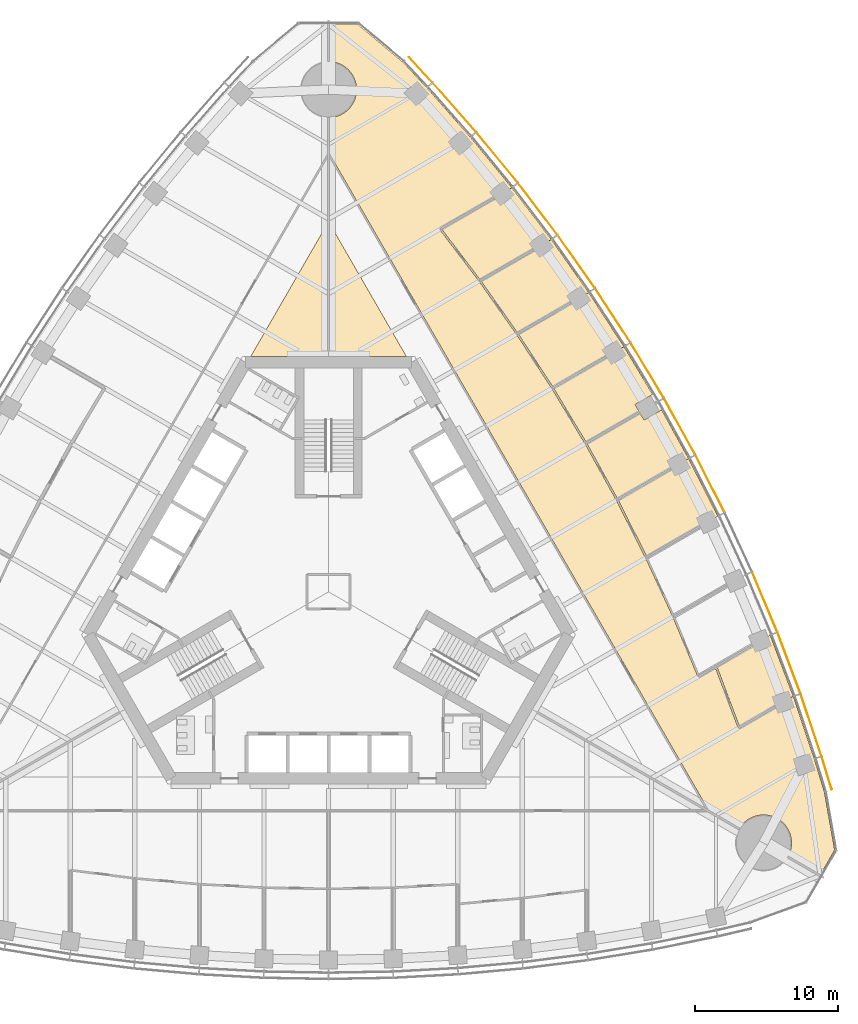
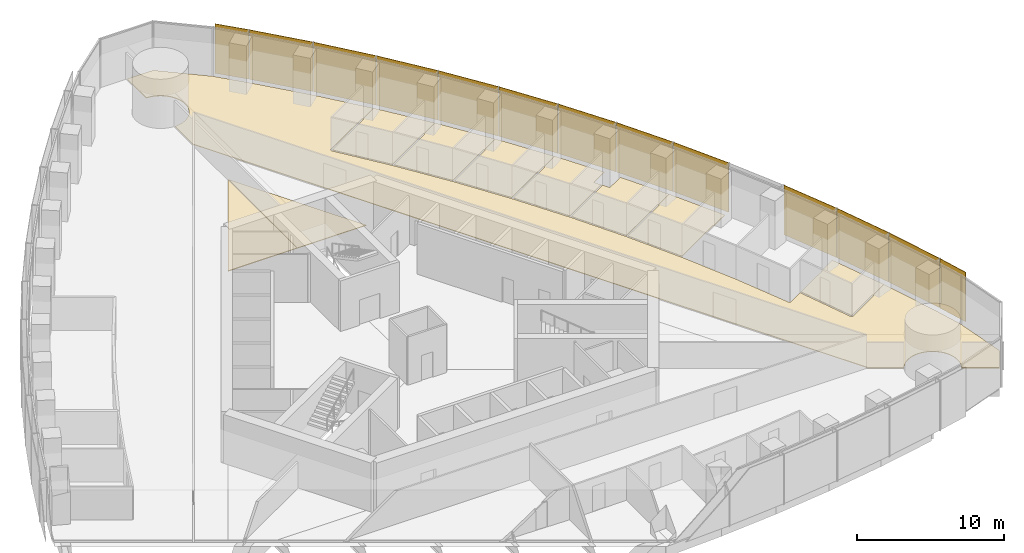
# One storey, part 19 of 21: 13 shading devices, 10 coverings.
"""IFC4 building model written with IfcOpenShell, lengths in metres."""

import ifcopenshell
import ifcopenshell.guid

model = None  # the IFC model being written
_history = None  # IfcOwnerHistory: only IFC2X3 demands one
_inside = {}  # id of a spatial element -> (the spatial element, [elements in it])
_under = {}  # id of a project, library or spatial element -> (it, [spatial elements below it])
_declared = {}  # id of a project -> (the project, [libraries it declares])
_typed = {}  # id of a type object -> (the type object, [elements of that type])
_made_of = {}  # id of a material, layer set ... -> (it, [elements and type objects made of it])


def new_model(schema):
    """Start an empty IFC model of exactly this schema.

    Asked for "IFC4X3", IfcOpenShell would pick the latest addendum, in which some entities
    have other attributes; the version numbers below select the first issue.
    IFC2X3 requires an IfcOwnerHistory on every rooted entity: one is made here for all.
    """
    global model, _history
    if schema == "IFC4X3":
        model = ifcopenshell.file(schema_version=(4, 3, 0, 0))
    else:
        model = ifcopenshell.file(schema=schema)
    _inside.clear()
    _under.clear()
    _declared.clear()
    _typed.clear()
    _made_of.clear()
    _history = None
    if model.schema == "IFC2X3":
        org = make("IfcOrganization", Name="unknown")
        user = make(
            "IfcPersonAndOrganization",
            ThePerson=make("IfcPerson", FamilyName="unknown"),
            TheOrganization=org,
        )
        app = make(
            "IfcApplication",
            ApplicationDeveloper=org,
            Version="unknown",
            ApplicationFullName="unknown",
            ApplicationIdentifier="unknown",
        )
        _history = make(
            "IfcOwnerHistory",
            OwningUser=user,
            OwningApplication=app,
            ChangeAction="ADDED",
            CreationDate=0,
        )
    return model


def make(cls, **values):
    """One entity of the class cls with the attributes given. An attribute that is None is left unset."""
    return model.create_entity(
        cls, **{name: value for name, value in values.items() if value is not None}
    )


def rooted(cls, **values):
    """An entity with a GlobalId (a new one), such as an element, a storey or a relation."""
    return make(cls, GlobalId=ifcopenshell.guid.new(), OwnerHistory=_history, **values)


def si_unit(unit_type, name, prefix=None):
    """IfcSIUnit, for example si_unit("LENGTHUNIT", "METRE", prefix="MILLI")."""
    return make("IfcSIUnit", UnitType=unit_type, Prefix=prefix, Name=name)


def assignment(units):
    """IfcUnitAssignment: the units of a project."""
    return None if units is None else make("IfcUnitAssignment", Units=units)


def point(xyz):
    """IfcCartesianPoint."""
    return None if xyz is None else make("IfcCartesianPoint", Coordinates=xyz)


def direction(xyz):
    """IfcDirection."""
    return None if xyz is None else make("IfcDirection", DirectionRatios=xyz)


def frame(location, z_axis=None, x_axis=None):
    """IfcAxis2Placement3D, a coordinate frame: its origin and axes. An axis left out is left unset."""
    return make(
        "IfcAxis2Placement3D",
        Location=point(location),
        Axis=direction(z_axis),
        RefDirection=direction(x_axis),
    )


def frame_2d(location, x_axis=None):
    """IfcAxis2Placement2D, a coordinate frame in the plane: its origin and x axis."""
    return make(
        "IfcAxis2Placement2D", Location=point(location), RefDirection=direction(x_axis)
    )


def origin():
    """The frame at (0, 0, 0) with its axes left unset."""
    return frame((0.0, 0.0, 0.0))


def origin_2d():
    """The frame at (0, 0) in the plane with its x axis left unset."""
    return frame_2d((0.0, 0.0))


def place(relative_to, where):
    """IfcLocalPlacement: puts the frame where relative to a parent placement (None: the world)."""
    return make(
        "IfcLocalPlacement", PlacementRelTo=relative_to, RelativePlacement=where
    )


def context(
    kind, dimensions, precision=None, world=None, true_north=None, identifier=None
):
    """IfcGeometricRepresentationContext, for example the 3D "Model" context."""
    return make(
        "IfcGeometricRepresentationContext",
        ContextIdentifier=identifier,
        ContextType=kind,
        CoordinateSpaceDimension=dimensions,
        Precision=precision,
        WorldCoordinateSystem=world,
        TrueNorth=true_north,
    )


def subcontext(parent, identifier, kind, view, scale=None):
    """IfcGeometricRepresentationSubContext, for example "Body" below "Model"."""
    return make(
        "IfcGeometricRepresentationSubContext",
        ContextIdentifier=identifier,
        ContextType=kind,
        ParentContext=parent,
        TargetScale=scale,
        TargetView=view,
    )


def project(units=None, contexts=None):
    """IfcProject with its units and contexts."""
    return rooted(
        "IfcProject",
        Name="project",
        RepresentationContexts=contexts,
        UnitsInContext=assignment(units),
    )


def spatial(cls, under=None, at=None, **own):
    """A site, building, storey or space (cls), placed at a placement, below another one or the project."""
    s = rooted(cls, ObjectPlacement=at, **own)
    if under is not None:
        _under.setdefault(under.id(), (under, []))[1].append(s)
    return s


def polyline(points):
    """IfcPolyline through the points."""
    return make("IfcPolyline", Points=[point(p) for p in points])


def profile(cls, at=None, kind="AREA", **sizes):
    """A parametric profile (cls). Its sizes go by their IFC names, for example OverallWidth=200.0."""
    return make(cls, ProfileType=kind, Position=at, **sizes)


def rectangle(**sizes):
    """IfcRectangleProfileDef."""
    return profile("IfcRectangleProfileDef", **sizes)


def outline(outer, holes=None, kind="AREA"):
    """IfcArbitraryClosedProfileDef: a profile drawn as a closed curve; with holes, ...WithVoids."""
    if holes is None:
        return make("IfcArbitraryClosedProfileDef", ProfileType=kind, OuterCurve=outer)
    return make(
        "IfcArbitraryProfileDefWithVoids",
        ProfileType=kind,
        OuterCurve=outer,
        InnerCurves=holes,
    )


def extrude(swept, where, along, depth):
    """IfcExtrudedAreaSolid: the profile swept, set in the frame where, extruded along a direction by depth."""
    return make(
        "IfcExtrudedAreaSolid",
        SweptArea=swept,
        Position=where,
        ExtrudedDirection=direction(along),
        Depth=depth,
    )


def shape(context_of_items, identifier, shape_type, items):
    """IfcShapeRepresentation: the items that make up one representation, for example the "Body"."""
    return make(
        "IfcShapeRepresentation",
        ContextOfItems=context_of_items,
        RepresentationIdentifier=identifier,
        RepresentationType=shape_type,
        Items=items,
    )


def material(Name=None, Category=None):
    """IfcMaterial."""
    return make("IfcMaterial", Name=Name, Category=Category)


def layer(
    of_material, thickness, ventilated=None, Name=None, Category=None, Priority=None
):
    """IfcMaterialLayer: one layer of a wall or slab, of a material (None: an air gap)."""
    return make(
        "IfcMaterialLayer",
        Material=of_material,
        LayerThickness=thickness,
        IsVentilated=ventilated,
        Name=Name,
        Category=Category,
        Priority=Priority,
    )


def layer_set(layers, Name=None):
    """IfcMaterialLayerSet."""
    return make("IfcMaterialLayerSet", MaterialLayers=layers, LayerSetName=Name)


def made_of(thing, what):
    """Note that an element or type object is made of a material, layer set ...; save() writes the relation."""
    if what is not None:
        _made_of.setdefault(what.id(), (what, []))[1].append(thing)
    return thing


def type_object(cls, material=None, **own):
    """A type object (cls), such as IfcWallType, which elements share."""
    return made_of(rooted(cls, **own), material)


def element(
    cls,
    number,
    at=None,
    inside=None,
    cuts=None,
    type_object=None,
    material=None,
    context=None,
    identifier="Body",
    shape_type=None,
    held_by="IfcProductDefinitionShape",
    body=None,
    shapes=None,
    **own,
):
    """One element of the class cls, such as IfcWall. Its Tag is "e" and its number.

    at: its placement. inside: the storey or other place that contains it. cuts: it is an
    opening in that element (IfcRelVoidsElement). A single representation is given by context,
    identifier, shape_type and body (its items); several are given by shapes. held_by: the class
    of the entity that holds the representations. save() writes the other relations.
    """
    e = rooted(cls, Tag="e%d" % number, ObjectPlacement=at, **own)
    if body is not None:
        shapes = [shape(context, identifier, shape_type, body)]
    if shapes is not None:
        e.Representation = make(held_by, Representations=shapes)
    if inside is not None:
        _inside.setdefault(inside.id(), (inside, []))[1].append(e)
    if cuts is not None:
        rooted(
            "IfcRelVoidsElement", RelatingBuildingElement=cuts, RelatedOpeningElement=e
        )
    if type_object is not None:
        _typed.setdefault(type_object.id(), (type_object, []))[1].append(e)
    return made_of(e, material)


def aggregate(whole, parts):
    """IfcRelAggregates: a whole, such as a stair, and the parts it consists of."""
    return rooted("IfcRelAggregates", RelatingObject=whole, RelatedObjects=parts)


def save(model, path):
    """Write the relations noted so far, then the file.

    IfcRelAggregates (storeys below a building ...), IfcRelContainedInSpatialStructure (elements
    in a storey), IfcRelDefinesByType, IfcRelAssociatesMaterial and IfcRelDeclares: one each for
    every whole, place, type object, material and project.
    """
    for whole, parts in _under.values():
        aggregate(whole, parts)
    for where, things in _inside.values():
        rooted(
            "IfcRelContainedInSpatialStructure",
            RelatedElements=things,
            RelatingStructure=where,
        )
    for kind, things in _typed.values():
        rooted("IfcRelDefinesByType", RelatedObjects=things, RelatingType=kind)
    for what, things in _made_of.values():
        rooted("IfcRelAssociatesMaterial", RelatedObjects=things, RelatingMaterial=what)
    for by, libraries in _declared.values():
        rooted("IfcRelDeclares", RelatingContext=by, RelatedDefinitions=libraries)
    model.write(path)


model = new_model("IFC4")

# Units and contexts
model_context = context("Model", 3, precision=1e-05, world=origin(), true_north=direction((0.0, 1.0)))
body_context = subcontext(model_context, "Body", "Model", "MODEL_VIEW")
ifc_project = project(units=[si_unit("LENGTHUNIT", "METRE"), si_unit("AREAUNIT", "SQUARE_METRE"), si_unit("VOLUMEUNIT", "CUBIC_METRE"), si_unit("PLANEANGLEUNIT", "RADIAN"), si_unit("MASSUNIT", "GRAM", prefix="KILO")], contexts=[model_context])

# Site, building, storey
site_placement = place(None, origin())
site = spatial("IfcSite", under=ifc_project, at=site_placement, CompositionType="ELEMENT")
building_placement = place(site_placement, origin())
building = spatial("IfcBuilding", under=site, at=building_placement, Name="Trefoil Bronze Tower", CompositionType="ELEMENT")
storey_placement = place(building_placement, frame((0.0, 0.0, 149.300048828125)))
storey = spatial("IfcBuildingStorey", under=building, at=storey_placement, Name="L34", CompositionType="ELEMENT", Elevation=149.300048828125)

# Shading devices
ifc_material_1 = material(Name="Perforated bronze sheet", Category="bronze")
ifc_layer_1 = layer(ifc_material_1, 0.0400390625)
ifc_layer_set_1 = layer_set([ifc_layer_1], Name="Bronze solar screen panel")
shading_device_type = type_object("IfcShadingDeviceType", Name="Bronze solar screen panel", PredefinedType="SHUTTER", material=ifc_layer_set_1)
shading_device_1_placement = place(storey_placement, frame((34.717529296875, -12.634765625, 0.0498046875), z_axis=(0.0, 0.0, 1.0), x_axis=(-0.291668676391, 0.956519410787, 0.0)))
element("IfcShadingDevice", 1, at=shading_device_1_placement, inside=storey, type_object=shading_device_type, Name="Solar screen CW-A L34 F2 bay 1", PredefinedType="SHUTTER", context=body_context, shape_type="SweptSolid", body=[
    extrude(rectangle(XDim=2.39013671875, YDim=0.0400390625, at=origin_2d()), origin(), (0.0, 0.0, 1.0), 4.10009765625),
])
shading_device_2_placement = place(storey_placement, frame((33.62890625, -9.286865234375, 0.0498046875), z_axis=(0.0, 0.0, 1.0), x_axis=(-0.318403749569, 0.947955195281, 0.0)))
element("IfcShadingDevice", 2, at=shading_device_2_placement, inside=storey, type_object=shading_device_type, Name="Solar screen CW-A L34 F2 bay 2", PredefinedType="SHUTTER", context=body_context, shape_type="SweptSolid", body=[
    extrude(rectangle(XDim=4.56103515625, YDim=0.0400390625, at=origin_2d()), origin(), (0.0, 0.0, 1.0), 4.10009765625),
])
shading_device_3_placement = place(storey_placement, frame((32.086669921875, -4.95849609375, 0.0498046875), z_axis=(0.0, 0.0, 1.0), x_axis=(-0.352919739707, 0.935653599002, 0.0)))
element("IfcShadingDevice", 3, at=shading_device_3_placement, inside=storey, type_object=shading_device_type, Name="Solar screen CW-A L34 F2 bay 3", PredefinedType="SHUTTER", context=body_context, shape_type="SweptSolid", body=[
    extrude(rectangle(XDim=4.5302734375, YDim=0.0400390625, at=origin_2d()), origin(), (0.0, 0.0, 1.0), 4.10009765625),
])
shading_device_4_placement = place(storey_placement, frame((30.3974609375, -0.715087890625, 0.0498046875), z_axis=(0.0, 0.0, 1.0), x_axis=(-0.386759234303, 0.922180727776, 0.0)))
element("IfcShadingDevice", 4, at=shading_device_4_placement, inside=storey, type_object=shading_device_type, Name="Solar screen CW-A L34 F2 bay 4", PredefinedType="SHUTTER", context=body_context, shape_type="SweptSolid", body=[
    extrude(rectangle(XDim=4.50634765625, YDim=0.0400390625, at=origin_2d()), origin(), (0.0, 0.0, 1.0), 4.10009765625),
])
shading_device_5_placement = place(storey_placement, frame((26.5869140625, 7.52197265625, 0.0498046875), z_axis=(0.0, 0.0, 1.0), x_axis=(-0.452448919686, 0.891790320128, 0.0)))
element("IfcShadingDevice", 5, at=shading_device_5_placement, inside=storey, type_object=shading_device_type, Name="Solar screen CW-A L34 F2 bay 6", PredefinedType="SHUTTER", context=body_context, shape_type="SweptSolid", body=[
    extrude(rectangle(XDim=4.4765625, YDim=0.0400390625, at=origin_2d()), origin(), (0.0, 0.0, 1.0), 4.10009765625),
])
for number, where, z_axis, x_axis, name in (
    (6, (24.468505859375, 11.517578125, 0.0498046875), (0.0, 0.0, 1.0), (-0.484312195836, 0.874895249138, 0.0), "Solar screen CW-A L34 F2 bay 7"),
    (7, (22.208740234375, 15.431396484375, 0.0498046875), (0.0, 0.0, 1.0), (-0.515525413486, 0.856874289526, 0.0), "Solar screen CW-A L34 F2 bay 8"),
):
    element("IfcShadingDevice", number, at=place(storey_placement, frame(where, z_axis=z_axis, x_axis=x_axis)), inside=storey, type_object=shading_device_type, Name=name, PredefinedType="SHUTTER", context=body_context, shape_type="SweptSolid", body=[
        extrude(rectangle(XDim=4.470703125, YDim=0.0400390625, at=origin_2d()), origin(), (0.0, 0.0, 1.0), 4.10009765625),
    ])
shading_device_6_placement = place(storey_placement, frame((19.8076171875, 19.263916015625, 0.0498046875), z_axis=(0.0, 0.0, 1.0), x_axis=(-0.546088612237, 0.837727418427, 0.0)))
element("IfcShadingDevice", 8, at=shading_device_6_placement, inside=storey, type_object=shading_device_type, Name="Solar screen CW-A L34 F2 bay 9", PredefinedType="SHUTTER", context=body_context, shape_type="SweptSolid", body=[
    extrude(rectangle(XDim=4.4765625, YDim=0.0400390625, at=origin_2d()), origin(), (0.0, 0.0, 1.0), 4.10009765625),
])
shading_device_7_placement = place(storey_placement, frame((17.264892578125, 23.014404296875, 0.0498046875), z_axis=(0.0, 0.0, 1.0), x_axis=(-0.575999283275, 0.817450197667, 0.0)))
element("IfcShadingDevice", 9, at=shading_device_7_placement, inside=storey, type_object=shading_device_type, Name="Solar screen CW-A L34 F2 bay 10", PredefinedType="SHUTTER", context=body_context, shape_type="SweptSolid", body=[
    extrude(rectangle(XDim=4.48828125, YDim=0.0400390625, at=origin_2d()), origin(), (0.0, 0.0, 1.0), 4.10009765625),
])
shading_device_8_placement = place(storey_placement, frame((14.579345703125, 26.6826171875, 0.0498046875), z_axis=(0.0, 0.0, 1.0), x_axis=(-0.605252319983, 0.796033685943, 0.0)))
element("IfcShadingDevice", 10, at=shading_device_8_placement, inside=storey, type_object=shading_device_type, Name="Solar screen CW-A L34 F2 bay 11", PredefinedType="SHUTTER", context=body_context, shape_type="SweptSolid", body=[
    extrude(rectangle(XDim=4.50634765625, YDim=0.0400390625, at=origin_2d()), origin(), (0.0, 0.0, 1.0), 4.10009765625),
])
shading_device_9_placement = place(storey_placement, frame((11.7490234375, 30.26708984375, 0.0498046875), z_axis=(0.0, 0.0, 1.0), x_axis=(-0.633839916024, 0.773464259584, 0.0)))
element("IfcShadingDevice", 11, at=shading_device_9_placement, inside=storey, type_object=shading_device_type, Name="Solar screen CW-A L34 F2 bay 12", PredefinedType="SHUTTER", context=body_context, shape_type="SweptSolid", body=[
    extrude(rectangle(XDim=4.5302734375, YDim=0.0400390625, at=origin_2d()), origin(), (0.0, 0.0, 1.0), 4.10009765625),
])
shading_device_10_placement = place(storey_placement, frame((8.77197265625, 33.766845703125, 0.0498046875), z_axis=(0.0, 0.0, 1.0), x_axis=(-0.661751405978, 0.749723333428, 0.0)))
element("IfcShadingDevice", 12, at=shading_device_10_placement, inside=storey, type_object=shading_device_type, Name="Solar screen CW-A L34 F2 bay 13", PredefinedType="SHUTTER", context=body_context, shape_type="SweptSolid", body=[
    extrude(rectangle(XDim=4.56103515625, YDim=0.0400390625, at=origin_2d()), origin(), (0.0, 0.0, 1.0), 4.10009765625),
])
shading_device_11_placement = place(storey_placement, frame((6.416748046875, 36.383544921875, 0.0498046875), z_axis=(0.0, 0.0, 1.0), x_axis=(-0.682535770759, 0.730852188636, 0.0)))
element("IfcShadingDevice", 13, at=shading_device_11_placement, inside=storey, type_object=shading_device_type, Name="Solar screen CW-A L34 F2 bay 14", PredefinedType="SHUTTER", context=body_context, shape_type="SweptSolid", body=[
    extrude(rectangle(XDim=2.39013671875, YDim=0.0400390625, at=origin_2d()), origin(), (0.0, 0.0, 1.0), 4.10009765625),
])

# Coverings
ifc_material_2 = material(Name="Raised access floor panels", Category="steel")
ifc_layer_2 = layer(ifc_material_2, 0.050048828125)
ifc_layer_set_2 = layer_set([ifc_layer_2], Name="Raised access floor 150")
covering_type = type_object("IfcCoveringType", Name="Raised access floor 150", PredefinedType="FLOORING", material=ifc_layer_set_2)
covering_1_placement = place(storey_placement, frame((0.0, 0.0, 0.099853515625)))
element("IfcCovering", 14, at=covering_1_placement, inside=storey, type_object=covering_type, Name="Raised floor L34 Office F2", PredefinedType="FLOORING", context=body_context, shape_type="SweptSolid", body=[
    extrude(outline(polyline([(14.2548828125, 23.818603515625), (14.224853515625, 23.870361328125), (10.558349609375, 21.753662109375), (7.885986328125, 25.268310546875), (11.533447265625, 27.3740234375), (11.50341796875, 27.426025390625), (12.776611328125, 28.1611328125), (15.522216796875, 24.55029296875), (14.2548828125, 23.818603515625)])), origin(), (0.0, 0.0, 1.0), 0.050048828125),
])
covering_2_placement = place(storey_placement, frame((0.0, 0.0, 0.099853515625)))
element("IfcCovering", 15, at=covering_2_placement, inside=storey, type_object=covering_type, Name="Raised floor L34 Office F2", PredefinedType="FLOORING", context=body_context, shape_type="SweptSolid", body=[
    extrude(outline(polyline([(15.522216796875, 24.55029296875), (18.124755859375, 20.856689453125), (16.861572265625, 20.127197265625), (16.83154296875, 20.17919921875), (13.16259765625, 18.06103515625), (10.62939453125, 21.656005859375), (14.284912109375, 23.7666015625), (14.2548828125, 23.818603515625), (15.522216796875, 24.55029296875)])), origin(), (0.0, 0.0, 1.0), 0.050048828125),
])
covering_3_placement = place(storey_placement, frame((0.0, 0.0, 0.099853515625)))
element("IfcCovering", 16, at=covering_3_placement, inside=storey, type_object=covering_type, Name="Raised floor L34 Office F2", PredefinedType="FLOORING", context=body_context, shape_type="SweptSolid", body=[
    extrude(outline(polyline([(18.124755859375, 20.856689453125), (20.585693359375, 17.081298828125), (19.324951171875, 16.353515625), (19.294921875, 16.405517578125), (15.62548828125, 14.286865234375), (13.22998046875, 17.96142578125), (16.8916015625, 20.0751953125), (16.861572265625, 20.127197265625), (18.124755859375, 20.856689453125)])), origin(), (0.0, 0.0, 1.0), 0.050048828125),
])
covering_4_placement = place(storey_placement, frame((0.0, 0.0, 0.099853515625)))
element("IfcCovering", 17, at=covering_4_placement, inside=storey, type_object=covering_type, Name="Raised floor L34 Office F2", PredefinedType="FLOORING", context=body_context, shape_type="SweptSolid", body=[
    extrude(outline(polyline([(21.64599609375, 12.497314453125), (21.615966796875, 12.54931640625), (17.947509765625, 10.431396484375), (15.689208984375, 14.18505859375), (19.35498046875, 16.301513671875), (19.324951171875, 16.353515625), (20.585693359375, 17.081298828125), (22.583251953125, 13.76123046875), (21.358154296875, 13.053955078125), (21.671142578125, 12.51171875), (21.64599609375, 12.497314453125)])), origin(), (0.0, 0.0, 1.0), 0.050048828125),
])
covering_5_placement = place(storey_placement, frame((0.0, 0.0, 0.099853515625)))
element("IfcCovering", 18, at=covering_5_placement, inside=storey, type_object=covering_type, Name="Raised floor L34 Office F2", PredefinedType="FLOORING", context=body_context, shape_type="SweptSolid", body=[
    extrude(outline(polyline([(23.824951171875, 8.55908203125), (23.794921875, 8.611083984375), (20.129150390625, 6.49462890625), (18.007568359375, 10.327392578125), (21.676025390625, 12.4453125), (21.64599609375, 12.497314453125), (21.671142578125, 12.51171875), (21.984130859375, 11.9697265625), (23.209228515625, 12.677001953125), (25.085693359375, 9.287109375), (23.824951171875, 8.55908203125)])), origin(), (0.0, 0.0, 1.0), 0.050048828125),
])
covering_6_placement = place(storey_placement, frame((0.0, 0.0, 0.099853515625)))
element("IfcCovering", 19, at=covering_6_placement, inside=storey, type_object=covering_type, Name="Raised floor L34 Meeting room F2", PredefinedType="FLOORING", context=body_context, shape_type="SweptSolid", body=[
    extrude(outline(polyline([(25.861572265625, 4.538818359375), (25.83154296875, 4.5908203125), (22.170166015625, 2.476806640625), (20.185302734375, 6.388671875), (23.85498046875, 8.507080078125), (23.824951171875, 8.55908203125), (25.085693359375, 9.287109375), (27.124755859375, 5.268310546875), (25.861572265625, 4.538818359375)])), origin(), (0.0, 0.0, 1.0), 0.050048828125),
])
covering_7_placement = place(storey_placement, frame((0.0, 0.0, 0.099853515625)))
element("IfcCovering", 20, at=covering_7_placement, inside=storey, type_object=covering_type, Name="Raised floor L34 Pantry F2", PredefinedType="FLOORING", context=body_context, shape_type="SweptSolid", body=[
    extrude(outline(polyline([(31.105224609375, -8.022216796875), (31.0751953125, -7.97021484375), (28.6328125, -9.38037109375), (27.06640625, -5.227294921875), (29.533447265625, -3.802734375), (29.50341796875, -3.750732421875), (30.776611328125, -3.015625), (32.385986328125, -7.28271484375), (31.105224609375, -8.022216796875)])), origin(), (0.0, 0.0, 1.0), 0.050048828125),
])
covering_8_placement = place(storey_placement, frame((0.0, 0.0, 0.099853515625)))
element("IfcCovering", 21, at=covering_8_placement, inside=storey, type_object=covering_type, Name="Raised floor L34 Open-plan office F2", PredefinedType="FLOORING", context=body_context, shape_type="SweptSolid", body=[
    extrude(outline(polyline([(6.847900390625, 35.130615234375), (9.885986328125, 31.6884765625), (12.776611328125, 28.1611328125), (11.50341796875, 27.426025390625), (11.473388671875, 27.47802734375), (7.76708984375, 25.338134765625), (7.797119140625, 25.2861328125), (7.749267578125, 25.25), (10.494140625, 21.639892578125), (13.095458984375, 17.947998046875), (15.555419921875, 14.174560546875), (17.87451171875, 10.31982421875), (20.05322265625, 6.384033203125), (22.09130859375, 2.3671875), (23.98779296875, -1.731689453125), (25.74169921875, -5.913818359375), (25.797119140625, -5.890625), (25.8271484375, -5.942626953125), (26.9609375, -5.2880859375), (28.54541015625, -9.48876953125), (28.6015625, -9.467529296875), (28.631591796875, -9.51953125), (31.13525390625, -8.07421875), (31.105224609375, -8.022216796875), (32.385986328125, -7.28271484375), (33.847900390625, -11.634765625), (34.5537109375, -13.94970703125), (35.2666015625, -17.99169921875), (34.247802734375, -19.755859375), (32.006103515625, -18.462646484375), (32.030517578125, -18.419189453125), (32.07373046875, -18.333740234375), (32.112548828125, -18.24609375), (32.14697265625, -18.156982421875), (32.177001953125, -18.066162109375), (32.202392578125, -17.973876953125), (32.223388671875, -17.88037109375), (32.23974609375, -17.7861328125), (32.25146484375, -17.691162109375), (32.258544921875, -17.595703125), (32.260986328125, -17.5), (32.258544921875, -17.404296875), (32.25146484375, -17.308837890625), (32.23974609375, -17.2138671875), (32.223388671875, -17.11962890625), (32.202392578125, -17.026123046875), (32.177001953125, -16.933837890625), (32.14697265625, -16.843017578125), (32.112548828125, -16.75390625), (32.07373046875, -16.666259765625), (32.030517578125, -16.580810546875), (31.9833984375, -16.49755859375), (31.932373046875, -16.41650390625), (31.877197265625, -16.33837890625), (31.818359375, -16.262939453125), (31.755615234375, -16.1904296875), (31.689697265625, -16.12109375), (31.620361328125, -16.05517578125), (31.548095703125, -15.99267578125), (31.472412109375, -15.93359375), (31.394287109375, -15.878662109375), (31.3134765625, -15.827392578125), (31.22998046875, -15.7802734375), (31.14453125, -15.7373046875), (31.05712890625, -15.698486328125), (30.9677734375, -15.6640625), (30.876953125, -15.634033203125), (30.78466796875, -15.6083984375), (30.69140625, -15.58740234375), (30.596923828125, -15.571044921875), (30.501953125, -15.559326171875), (30.406494140625, -15.55224609375), (30.310791015625, -15.550048828125), (30.215087890625, -15.55224609375), (30.119873046875, -15.559326171875), (30.02490234375, -15.571044921875), (29.930419921875, -15.58740234375), (29.837158203125, -15.6083984375), (29.744873046875, -15.634033203125), (29.654052734375, -15.6640625), (29.564697265625, -15.698486328125), (29.477294921875, -15.7373046875), (29.3916015625, -15.7802734375), (29.308349609375, -15.827392578125), (29.2275390625, -15.878662109375), (29.1494140625, -15.93359375), (29.07373046875, -15.99267578125), (29.001220703125, -16.05517578125), (28.931884765625, -16.12109375), (28.865966796875, -16.1904296875), (28.803466796875, -16.262939453125), (28.74462890625, -16.33837890625), (28.689453125, -16.41650390625), (28.628662109375, -16.514404296875), (26.40966796875, -15.234375), (26.466552734375, -15.201416015625), (0.068359375, 30.521484375), (0.011474609375, 30.488525390625), (0.012451171875, 33.05029296875), (0.095703125, 33.05224609375), (0.191162109375, 33.059326171875), (0.2861328125, 33.071044921875), (0.38037109375, 33.08740234375), (0.473876953125, 33.1083984375), (0.566162109375, 33.134033203125), (0.656982421875, 33.1640625), (0.74609375, 33.198486328125), (0.833740234375, 33.2373046875), (0.919189453125, 33.2802734375), (1.00244140625, 33.327392578125), (1.08349609375, 33.378662109375), (1.16162109375, 33.43359375), (1.237060546875, 33.49267578125), (1.3095703125, 33.55517578125), (1.37890625, 33.62109375), (1.44482421875, 33.6904296875), (1.50732421875, 33.762939453125), (1.56640625, 33.83837890625), (1.621337890625, 33.91650390625), (1.672607421875, 33.99755859375), (1.7197265625, 34.080810546875), (1.7626953125, 34.166259765625), (1.801513671875, 34.25390625), (1.8359375, 34.343017578125), (1.865966796875, 34.433837890625), (1.8916015625, 34.526123046875), (1.91259765625, 34.61962890625), (1.928955078125, 34.7138671875), (1.940673828125, 34.808837890625), (1.94775390625, 34.904296875), (1.949951171875, 35.0), (1.94775390625, 35.095703125), (1.940673828125, 35.191162109375), (1.928955078125, 35.2861328125), (1.91259765625, 35.38037109375), (1.8916015625, 35.473876953125), (1.865966796875, 35.566162109375), (1.8359375, 35.656982421875), (1.801513671875, 35.74609375), (1.7626953125, 35.833740234375), (1.7197265625, 35.919189453125), (1.672607421875, 36.00244140625), (1.621337890625, 36.08349609375), (1.56640625, 36.16162109375), (1.50732421875, 36.237060546875), (1.44482421875, 36.3095703125), (1.37890625, 36.37890625), (1.3095703125, 36.44482421875), (1.237060546875, 36.50732421875), (1.16162109375, 36.56640625), (1.08349609375, 36.621337890625), (1.00244140625, 36.672607421875), (0.919189453125, 36.7197265625), (0.833740234375, 36.7626953125), (0.74609375, 36.801513671875), (0.656982421875, 36.8359375), (0.566162109375, 36.865966796875), (0.473876953125, 36.8916015625), (0.38037109375, 36.91259765625), (0.2861328125, 36.928955078125), (0.191162109375, 36.940673828125), (0.095703125, 36.94775390625), (0.013916015625, 36.94970703125), (0.014892578125, 39.53759765625), (2.052001953125, 39.53759765625), (5.1962890625, 36.8994140625), (6.847900390625, 35.130615234375)])), origin(), (0.0, 0.0, 1.0), 0.050048828125),
])
covering_9_placement = place(storey_placement, frame((0.0, 0.0, 0.099853515625)))
element("IfcCovering", 22, at=covering_9_placement, inside=storey, type_object=covering_type, Name="Raised floor L34 Open-plan office F2", PredefinedType="FLOORING", context=body_context, shape_type="SweptSolid", body=[
    extrude(outline(polyline([(0.006103515625, 16.39990234375), (0.009765625, 25.783203125), (5.427001953125, 16.39990234375), (0.006103515625, 16.39990234375)])), origin(), (0.0, 0.0, 1.0), 0.050048828125),
])
covering_10_placement = place(storey_placement, frame((0.0, 0.0, 0.099853515625)))
element("IfcCovering", 23, at=covering_10_placement, inside=storey, type_object=covering_type, Name="Raised floor L34 Open-plan office F3", PredefinedType="FLOORING", context=body_context, shape_type="SweptSolid", body=[
    extrude(outline(polyline([(-0.009765625, 25.783203125), (-0.006103515625, 16.39990234375), (-5.427001953125, 16.39990234375), (-0.009765625, 25.783203125)])), origin(), (0.0, 0.0, 1.0), 0.050048828125),
])

save(model, "model.ifc")
